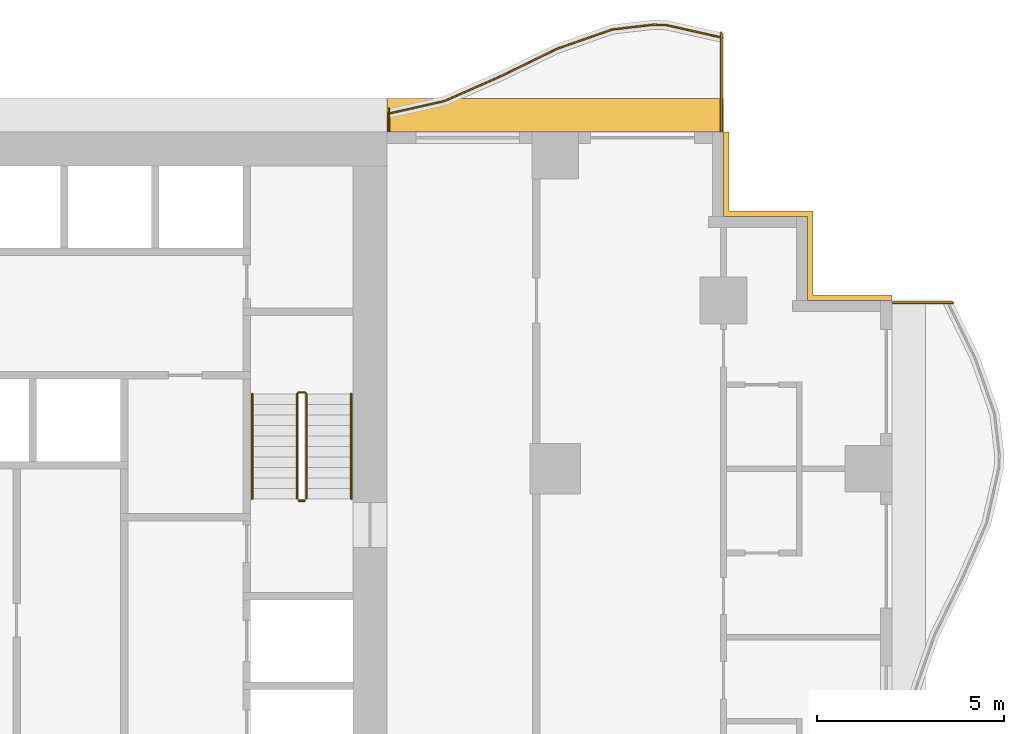
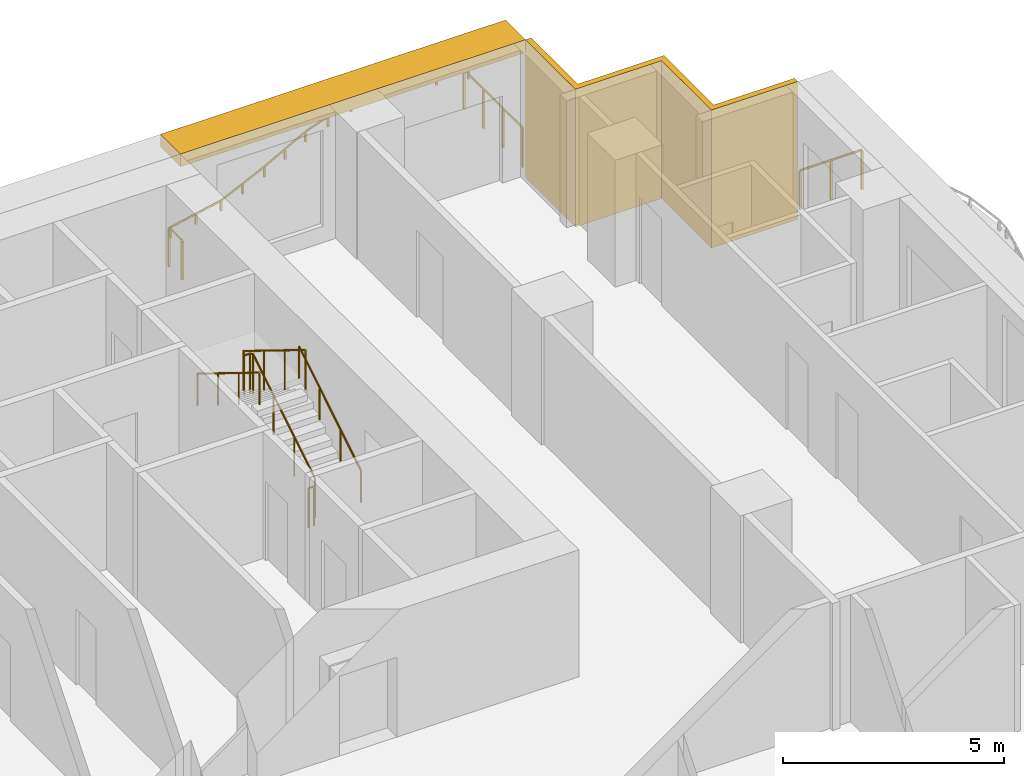
# One storey, part 14 of 14: 8 railings, 2 shading devices.
"""IFC4 building model written with IfcOpenShell, lengths in metres."""

from ifc_helpers import new_model, si_unit, direction, frame, origin, origin_2d, place, context, subcontext, project, spatial, polyline, rectangle, circle, outline, extrude, material, layer, layer_set, type_object, element, save


model = new_model("IFC4")

# Units and contexts
model_context = context("Model", 3, precision=1e-05, world=origin(), true_north=direction((0.0, 1.0)))
body_context = subcontext(model_context, "Body", "Model", "MODEL_VIEW")
ifc_project = project(units=[si_unit("LENGTHUNIT", "METRE"), si_unit("AREAUNIT", "SQUARE_METRE"), si_unit("VOLUMEUNIT", "CUBIC_METRE"), si_unit("PLANEANGLEUNIT", "RADIAN"), si_unit("MASSUNIT", "GRAM", prefix="KILO")], contexts=[model_context])

# Site, building, storey
site_placement = place(None, origin())
site = spatial("IfcSite", under=ifc_project, at=site_placement, CompositionType="ELEMENT")
building_placement = place(site_placement, origin())
building = spatial("IfcBuilding", under=site, at=building_placement, Name="Orbiselva Terraces", CompositionType="ELEMENT")
storey_placement = place(building_placement, frame((0.0, 0.0, 111.2)))
storey = spatial("IfcBuildingStorey", under=building, at=storey_placement, Name="L28", CompositionType="ELEMENT", Elevation=111.2)

# Railings
ifc_material_1 = material(Name="Stainless steel", Category="steel")
railing_type_1 = type_object("IfcRailingType", Name="CORE-GUARD-1100", PredefinedType="GUARDRAIL", material=ifc_material_1)
railing_1_placement = place(storey_placement, frame((11.35, 12.7, 0.172727)))
element("IfcRailing", 1, at=railing_1_placement, inside=storey, type_object=railing_type_1, Name="L28 S2 stair guard 1", PredefinedType="GUARDRAIL", context=body_context, shape_type="SweptSolid", body=[
    extrude(circle(Radius=0.024, at=origin_2d()), frame((0.0, 0.0, 1.081), z_axis=(0.0, 0.851088519012, 0.52502222125), x_axis=(-1.0, 0.0, 0.0)), (0.0, 0.0, 1.0), 3.289905),
    extrude(circle(Radius=0.024, at=origin_2d()), frame((0.0, 2.8, 2.808273), z_axis=(-0.707106781187, 0.707106781187, 0.0), x_axis=(-0.707106781187, -0.707106781187, 0.0)), (0.0, 0.0, 1.0), 0.070711),
    extrude(circle(Radius=0.024, at=origin_2d()), frame((-0.05, 2.85, 2.808273), z_axis=(-1.0, 0.0, 0.0), x_axis=(0.0, -1.0, 0.0)), (0.0, 0.0, 1.0), 0.15),
    extrude(circle(Radius=0.024, at=origin_2d()), frame((-0.2, 2.85, 2.808273), z_axis=(-0.267894925557, -0.267894925557, 0.925453736133), x_axis=(0.707106781187, -0.707106781187, 0.0)), (0.0, 0.0, 1.0), 0.18664),
    extrude(circle(Radius=0.024, at=origin_2d()), frame((-0.25, 2.8, 2.981), z_axis=(0.0, -0.851088519012, 0.52502222125), x_axis=(1.0, 0.0, 0.0)), (0.0, 0.0, 1.0), 3.289905),
    extrude(circle(Radius=0.021, at=origin_2d()), origin(), (0.0, 0.0, 1.0), 1.057),
    extrude(circle(Radius=0.021, at=origin_2d()), frame((0.0, 0.933333, 0.575758)), (0.0, 0.0, 1.0), 1.057),
    extrude(circle(Radius=0.021, at=origin_2d()), frame((0.0, 1.866667, 1.151515)), (0.0, 0.0, 1.0), 1.057),
    extrude(circle(Radius=0.021, at=origin_2d()), frame((0.0, 2.8, 1.727273)), (0.0, 0.0, 1.0), 1.057),
    extrude(circle(Radius=0.021, at=origin_2d()), frame((-0.05, 2.85, 1.727273)), (0.0, 0.0, 1.0), 1.057),
    extrude(circle(Radius=0.021, at=origin_2d()), frame((-0.2, 2.85, 1.727273)), (0.0, 0.0, 1.0), 1.057),
    extrude(circle(Radius=0.021, at=origin_2d()), frame((-0.25, 2.8, 1.9)), (0.0, 0.0, 1.0), 1.057),
    extrude(circle(Radius=0.021, at=origin_2d()), frame((-0.25, 1.866667, 2.475758)), (0.0, 0.0, 1.0), 1.057),
    extrude(circle(Radius=0.021, at=origin_2d()), frame((-0.25, 0.933333, 3.051515)), (0.0, 0.0, 1.0), 1.057),
    extrude(circle(Radius=0.021, at=origin_2d()), frame((-0.25, 0.0, 3.627273)), (0.0, 0.0, 1.0), 1.057),
])
railing_2_placement = place(storey_placement, frame((11.3, 12.65, 0.0)))
element("IfcRailing", 2, at=railing_2_placement, inside=storey, type_object=railing_type_1, Name="L28 S2 stair guard 2", PredefinedType="GUARDRAIL", context=body_context, shape_type="SweptSolid", body=[
    extrude(circle(Radius=0.024, at=origin_2d()), frame((0.0, 0.0, 1.081), z_axis=(-1.0, 0.0, 0.0), x_axis=(0.0, -1.0, 0.0)), (0.0, 0.0, 1.0), 0.15),
    extrude(circle(Radius=0.021, at=origin_2d()), origin(), (0.0, 0.0, 1.0), 1.057),
    extrude(circle(Radius=0.021, at=origin_2d()), frame((-0.15, 0.0, 0.0)), (0.0, 0.0, 1.0), 1.057),
])
railing_type_2 = type_object("IfcRailingType", Name="CORE-HANDRAIL-900", PredefinedType="HANDRAIL", material=ifc_material_1)
railing_3_placement = place(storey_placement, frame((12.55, 12.7, 0.172727)))
element("IfcRailing", 3, at=railing_3_placement, inside=storey, type_object=railing_type_2, Name="L28 S2 stair handrail 1", PredefinedType="HANDRAIL", context=body_context, shape_type="SweptSolid", body=[
    extrude(circle(Radius=0.024, at=origin_2d()), frame((0.0, 0.0, 0.876), z_axis=(0.0, 0.851088519012, 0.52502222125), x_axis=(-1.0, 0.0, 0.0)), (0.0, 0.0, 1.0), 3.289905),
    extrude(circle(Radius=0.021, at=origin_2d()), origin(), (0.0, 0.0, 1.0), 0.852),
    extrude(circle(Radius=0.021, at=origin_2d()), frame((0.0, 0.933333, 0.575758)), (0.0, 0.0, 1.0), 0.852),
    extrude(circle(Radius=0.021, at=origin_2d()), frame((0.0, 1.866667, 1.151515)), (0.0, 0.0, 1.0), 0.852),
    extrude(circle(Radius=0.021, at=origin_2d()), frame((0.0, 2.8, 1.727273)), (0.0, 0.0, 1.0), 0.852),
])
railing_4_placement = place(storey_placement, frame((9.9, 15.5, 2.072727)))
element("IfcRailing", 4, at=railing_4_placement, inside=storey, type_object=railing_type_2, Name="L28 S2 stair handrail 2", PredefinedType="HANDRAIL", context=body_context, shape_type="SweptSolid", body=[
    extrude(circle(Radius=0.024, at=origin_2d()), frame((0.0, 0.0, 0.876), z_axis=(0.0, -0.851088519012, 0.52502222125), x_axis=(1.0, 0.0, 0.0)), (0.0, 0.0, 1.0), 3.289905),
    extrude(circle(Radius=0.021, at=origin_2d()), origin(), (0.0, 0.0, 1.0), 0.852),
    extrude(circle(Radius=0.021, at=origin_2d()), frame((0.0, -0.933333, 0.575758)), (0.0, 0.0, 1.0), 0.852),
    extrude(circle(Radius=0.021, at=origin_2d()), frame((0.0, -1.866667, 1.151515)), (0.0, 0.0, 1.0), 0.852),
    extrude(circle(Radius=0.021, at=origin_2d()), frame((0.0, -2.8, 1.727273)), (0.0, 0.0, 1.0), 0.852),
])
ifc_material_2 = material(Name="Bonded two-ply safety glass balustrade, stainless steel posts", Category="steel")
railing_type_3 = type_object("IfcRailingType", Name="ENV-BALUSTRADE-1200", PredefinedType="BALUSTRADE", material=ifc_material_2)
railing_5_placement = place(storey_placement, frame((22.472623, 25.026563, 0.9)))
element("IfcRailing", 5, at=railing_5_placement, inside=storey, type_object=railing_type_3, Name="Balcony balustrade L28 NE", PredefinedType="BALUSTRADE", context=body_context, shape_type="SweptSolid", body=[
    extrude(outline(polyline([(0.028868, 0.0), (0.014434, 0.025), (-0.014434, 0.025), (-0.028868, 0.0), (-0.014434, -0.025), (0.014434, -0.025), (0.028868, 0.0)])), frame((0.0, 0.0, 0.275), z_axis=(-0.975721322437, 0.21901575501, 0.0), x_axis=(-0.21901575501, -0.975721322437, 0.0)), (0.0, 0.0, 1.0), 1.525954),
    extrude(outline(polyline([(0.028868, 0.0), (0.014434, 0.025), (-0.014434, 0.025), (-0.028868, 0.0), (-0.014434, -0.025), (0.014434, -0.025), (0.028868, 0.0)])), frame((-1.488906, 0.334208, 0.275), z_axis=(-0.999224931454, 0.039364150694, 0.0), x_axis=(-0.039364150694, -0.999224931454, 0.0)), (0.0, 0.0, 1.0), 0.354206),
    extrude(outline(polyline([(0.028868, 0.0), (0.014434, 0.025), (-0.014434, 0.025), (-0.028868, 0.0), (-0.014434, -0.025), (0.014434, -0.025), (0.028868, 0.0)])), frame((-1.842837, 0.348151, 0.275), z_axis=(-0.993309658409, -0.115481264762, 0.0), x_axis=(0.115481264762, -0.993309658409, 0.0)), (0.0, 0.0, 1.0), 1.10902),
    extrude(outline(polyline([(0.028868, 0.0), (0.014434, 0.025), (-0.014434, 0.025), (-0.028868, 0.0), (-0.014434, -0.025), (0.014434, -0.025), (0.028868, 0.0)])), frame((-2.944437, 0.22008, 0.275), z_axis=(-0.943972277814, -0.330024754707, 0.0), x_axis=(0.330024754707, -0.943972277814, 0.0)), (0.0, 0.0, 1.0), 1.567807),
    extrude(outline(polyline([(0.028868, 0.0), (0.014434, 0.025), (-0.014434, 0.025), (-0.028868, 0.0), (-0.014434, -0.025), (0.014434, -0.025), (0.028868, 0.0)])), frame((-4.424403, -0.297335, 0.275), z_axis=(-0.89857890432, -0.438811978768, 0.0), x_axis=(0.438811978768, -0.89857890432, 0.0)), (0.0, 0.0, 1.0), 1.66438),
    extrude(outline(polyline([(0.028868, 0.0), (0.014434, 0.025), (-0.014434, 0.025), (-0.028868, 0.0), (-0.014434, -0.025), (0.014434, -0.025), (0.028868, 0.0)])), frame((-5.91998, -1.027685, 0.275), z_axis=(-0.915133527237, -0.403150874148, 0.0), x_axis=(0.403150874148, -0.915133527237, 0.0)), (0.0, 0.0, 1.0), 1.653736),
    extrude(outline(polyline([(0.028868, 0.0), (0.014434, 0.025), (-0.014434, 0.025), (-0.028868, 0.0), (-0.014434, -0.025), (0.014434, -0.025), (0.028868, 0.0)])), frame((-7.433369, -1.69439, 0.275), z_axis=(-0.975721349543, -0.219015634252, 0.0), x_axis=(0.219015634252, -0.975721349543, 0.0)), (0.0, 0.0, 1.0), 1.549497),
    extrude(rectangle(XDim=0.05, YDim=0.05, at=origin_2d()), origin(), (0.0, 0.0, 1.0), 0.25),
    extrude(rectangle(XDim=0.05, YDim=0.05, at=origin_2d()), frame((-0.744453, 0.167104, 0.0)), (0.0, 0.0, 1.0), 0.25),
    extrude(rectangle(XDim=0.05, YDim=0.05, at=origin_2d()), frame((-1.488906, 0.334208, 0.0)), (0.0, 0.0, 1.0), 0.25),
    extrude(rectangle(XDim=0.05, YDim=0.05, at=origin_2d()), frame((-1.842837, 0.348151, 0.0)), (0.0, 0.0, 1.0), 0.25),
    extrude(rectangle(XDim=0.05, YDim=0.05, at=origin_2d()), frame((-2.944437, 0.22008, 0.0)), (0.0, 0.0, 1.0), 0.25),
    extrude(rectangle(XDim=0.05, YDim=0.05, at=origin_2d()), frame((-3.68442, -0.038628, 0.0)), (0.0, 0.0, 1.0), 0.25),
    extrude(rectangle(XDim=0.05, YDim=0.05, at=origin_2d()), frame((-4.424403, -0.297335, 0.0)), (0.0, 0.0, 1.0), 0.25),
    extrude(rectangle(XDim=0.05, YDim=0.05, at=origin_2d()), frame((-5.172191, -0.66251, 0.0)), (0.0, 0.0, 1.0), 0.25),
    extrude(rectangle(XDim=0.05, YDim=0.05, at=origin_2d()), frame((-5.91998, -1.027685, 0.0)), (0.0, 0.0, 1.0), 0.25),
    extrude(rectangle(XDim=0.05, YDim=0.05, at=origin_2d()), frame((-6.676674, -1.361037, 0.0)), (0.0, 0.0, 1.0), 0.25),
    extrude(rectangle(XDim=0.05, YDim=0.05, at=origin_2d()), frame((-7.433369, -1.69439, 0.0)), (0.0, 0.0, 1.0), 0.25),
    extrude(rectangle(XDim=0.05, YDim=0.05, at=origin_2d()), frame((-8.189307, -1.864072, 0.0)), (0.0, 0.0, 1.0), 0.25),
    extrude(rectangle(XDim=0.05, YDim=0.05, at=origin_2d()), frame((-8.945246, -2.033754, 0.0)), (0.0, 0.0, 1.0), 0.25),
])
ifc_material_3 = material(Name="Stainless steel rail and posts", Category="steel")
railing_type_4 = type_object("IfcRailingType", Name="ENV-GUARD-1105", PredefinedType="BALUSTRADE", material=ifc_material_3)
railing_6_placement = place(storey_placement, frame((28.642123, 17.94, 0.0)))
element("IfcRailing", 6, at=railing_6_placement, inside=storey, type_object=railing_type_4, Name="Balcony end guard L28 E", PredefinedType="BALUSTRADE", context=body_context, shape_type="SweptSolid", body=[
    extrude(outline(polyline([(0.028868, 0.0), (0.014434, 0.025), (-0.014434, 0.025), (-0.028868, 0.0), (-0.014434, -0.025), (0.014434, -0.025), (0.028868, 0.0)])), frame((0.0, 0.0, 1.08), z_axis=(-1.0, 0.0, 0.0), x_axis=(0.0, -1.0, 0.0)), (0.0, 0.0, 1.0), 1.617123),
    extrude(rectangle(XDim=0.05, YDim=0.05, at=origin_2d()), origin(), (0.0, 0.0, 1.0), 1.055),
    extrude(rectangle(XDim=0.05, YDim=0.05, at=origin_2d()), frame((-0.808562, 0.0, 0.0)), (0.0, 0.0, 1.0), 1.055),
    extrude(rectangle(XDim=0.05, YDim=0.05, at=origin_2d()), frame((-1.617123, 0.0, 0.0)), (0.0, 0.0, 1.0), 1.055),
])
railing_7_placement = place(storey_placement, frame((22.44, 25.169584, 0.0)))
element("IfcRailing", 7, at=railing_7_placement, inside=storey, type_object=railing_type_4, Name="Balcony end guard L28 NE", PredefinedType="BALUSTRADE", context=body_context, shape_type="SweptSolid", body=[
    extrude(outline(polyline([(0.028868, 0.0), (0.014434, 0.025), (-0.014434, 0.025), (-0.028868, 0.0), (-0.014434, -0.025), (0.014434, -0.025), (0.028868, 0.0)])), frame((0.0, 0.0, 1.08), z_axis=(0.0, -1.0, 0.0), x_axis=(1.0, 0.0, 0.0)), (0.0, 0.0, 1.0), 2.644584),
    extrude(rectangle(XDim=0.05, YDim=0.05, at=origin_2d()), origin(), (0.0, 0.0, 1.0), 1.055),
    extrude(rectangle(XDim=0.05, YDim=0.05, at=origin_2d()), frame((0.0, -0.881528, 0.0)), (0.0, 0.0, 1.0), 1.055),
    extrude(rectangle(XDim=0.05, YDim=0.05, at=origin_2d()), frame((0.0, -1.763056, 0.0)), (0.0, 0.0, 1.0), 1.055),
    extrude(rectangle(XDim=0.05, YDim=0.05, at=origin_2d()), frame((0.0, -2.644584, 0.0)), (0.0, 0.0, 1.0), 1.055),
])
railing_8_placement = place(storey_placement, frame((13.56, 23.119866, 0.0)))
element("IfcRailing", 8, at=railing_8_placement, inside=storey, type_object=railing_type_4, Name="Balcony end guard L28 NE", PredefinedType="BALUSTRADE", context=body_context, shape_type="SweptSolid", body=[
    extrude(outline(polyline([(0.028868, 0.0), (0.014434, 0.025), (-0.014434, 0.025), (-0.028868, 0.0), (-0.014434, -0.025), (0.014434, -0.025), (0.028868, 0.0)])), frame((0.0, 0.0, 1.08), z_axis=(0.0, -1.0, 0.0), x_axis=(1.0, 0.0, 0.0)), (0.0, 0.0, 1.0), 0.594866),
    extrude(rectangle(XDim=0.05, YDim=0.05, at=origin_2d()), origin(), (0.0, 0.0, 1.0), 1.055),
    extrude(rectangle(XDim=0.05, YDim=0.05, at=origin_2d()), frame((0.0, -0.594866, 0.0)), (0.0, 0.0, 1.0), 1.055),
])

# Shading devices
ifc_material_4 = material(Name="Terracotta louvre screen", Category="masonry")
ifc_layer_1 = layer(ifc_material_4, 0.15)
ifc_layer_set_1 = layer_set([ifc_layer_1], Name="Terracotta louvre screen")
shading_device_type_1 = type_object("IfcShadingDeviceType", Name="ENV-SCREEN-150", PredefinedType="USERDEFINED", material=ifc_layer_set_1)
shading_device_1_placement = place(storey_placement, frame((0.0, 0.0, -0.3)))
element("IfcShadingDevice", 9, at=shading_device_1_placement, inside=storey, type_object=shading_device_type_1, Name="Louvre screen L28 NE", ObjectType="SCREEN", PredefinedType="USERDEFINED", context=body_context, shape_type="SweptSolid", body=[
    extrude(outline(polyline([(27.0, 18.15), (24.9, 18.15), (24.9, 20.4), (22.65, 20.4), (22.65, 22.5), (22.5, 22.5), (22.5, 20.25), (24.75, 20.25), (24.75, 18.0), (27.0, 18.0), (27.0, 18.15)])), origin(), (0.0, 0.0, 1.0), 3.8),
])
ifc_material_5 = material(Name="Terracotta baguette sunshade", Category="masonry")
ifc_layer_2 = layer(ifc_material_5, 0.35)
ifc_layer_set_2 = layer_set([ifc_layer_2], Name="Terracotta baguette sunshade")
shading_device_type_2 = type_object("IfcShadingDeviceType", Name="ENV-SUNSHADE-900x350", PredefinedType="USERDEFINED", material=ifc_layer_set_2)
shading_device_2_placement = place(storey_placement, frame((0.0, 0.0, 3.15)))
element("IfcShadingDevice", 10, at=shading_device_2_placement, inside=storey, type_object=shading_device_type_2, Name="Sunshade band L28 NE", ObjectType="SUNSHADE", PredefinedType="USERDEFINED", context=body_context, shape_type="SweptSolid", body=[
    extrude(outline(polyline([(22.5, 23.4), (13.5, 23.4), (13.5, 22.5), (22.5, 22.5), (22.5, 23.4)])), origin(), (0.0, 0.0, 1.0), 0.35),
])

save(model, "model.ifc")
